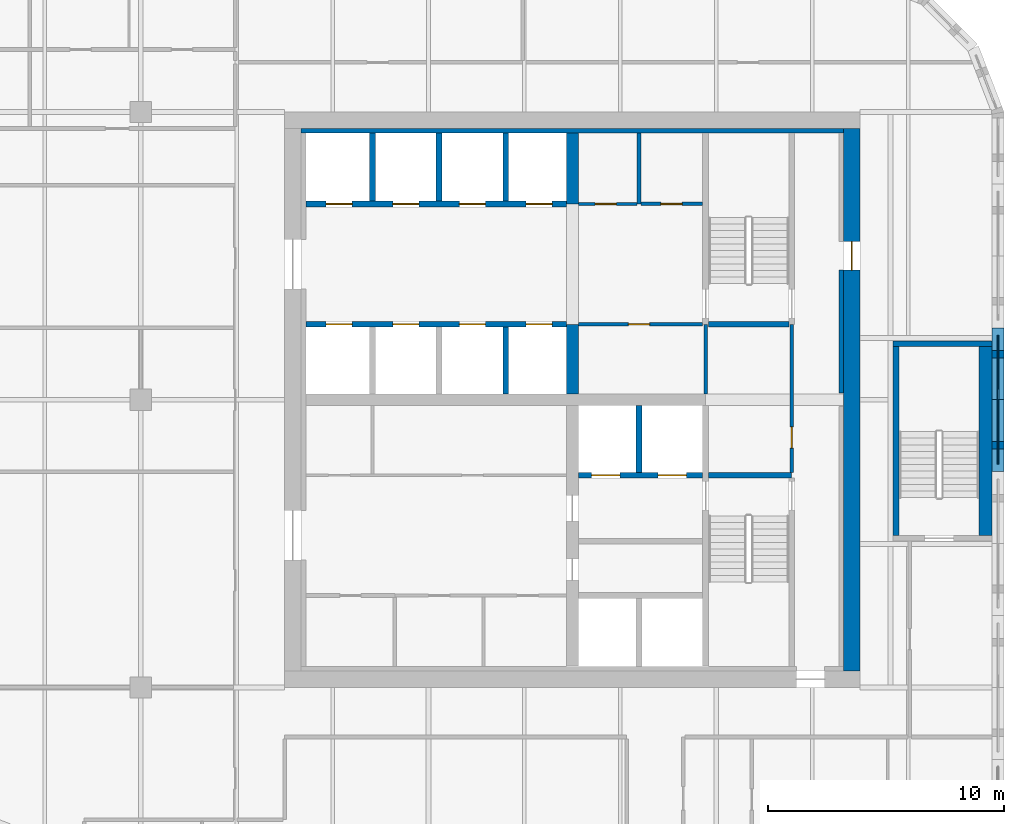
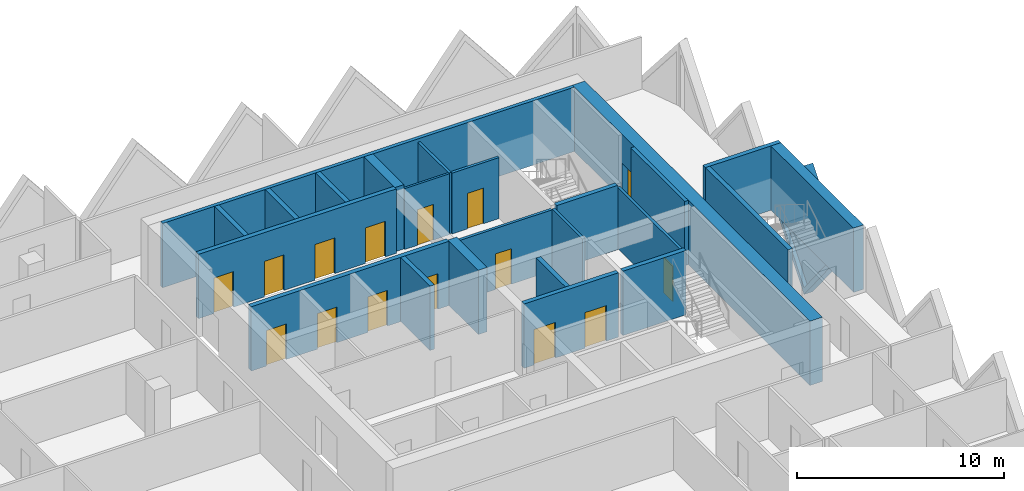
# One storey, part 9 of 12: 25 walls, 15 doors, 1 plate, 16 openings.
"""IFC4 building model written with IfcOpenShell, lengths in metres."""

from ifc_helpers import new_model, si_unit, direction, frame, frame_2d, origin, place, context, subcontext, project, spatial, polyline, rectangle, outline, extrude, faceted_brep, source, transform, mapped, material, layer, layer_set, type_object, element, fill, save


model = new_model("IFC4")

# Units and contexts
model_context = context("Model", 3, precision=1e-05, world=origin(), true_north=direction((0.0, 1.0)))
body_context = subcontext(model_context, "Body", "Model", "MODEL_VIEW")
ifc_project = project(units=[si_unit("LENGTHUNIT", "METRE"), si_unit("AREAUNIT", "SQUARE_METRE"), si_unit("VOLUMEUNIT", "CUBIC_METRE"), si_unit("PLANEANGLEUNIT", "RADIAN"), si_unit("MASSUNIT", "GRAM", prefix="KILO")], contexts=[model_context])

# Site, building, storey
site_placement = place(None, origin())
site = spatial("IfcSite", under=ifc_project, at=site_placement, CompositionType="ELEMENT")
building_placement = place(site_placement, origin())
building = spatial("IfcBuilding", under=site, at=building_placement, Name="Tessera Gate Towers", CompositionType="ELEMENT")
storey_placement = place(building_placement, frame((0.0, 0.0, 139.199951171875)))
storey = spatial("IfcBuildingStorey", under=building, at=storey_placement, Name="L34", CompositionType="ELEMENT", Elevation=139.199951171875)

# Wall, openings, doors
ifc_material_1 = material(Name="Concrete C40/50", Category="concrete")
ifc_layer_1 = layer(ifc_material_1, 0.25)
ifc_layer_set_1 = layer_set([ifc_layer_1], Name="CORE ENCLOSURE WALL 250")
wall_type_1 = type_object("IfcWallType", Name="CORE ENCLOSURE WALL 250", PredefinedType="SOLIDWALL", material=ifc_layer_set_1)
wall_1_placement = place(storey_placement, frame((31.39990234375, 39.800048828125, 0.0), z_axis=(0.0, 0.0, 1.0), x_axis=(1.0, 0.0, 0.0)))
wall_1 = element("IfcWall", 1, at=wall_1_placement, inside=storey, type_object=wall_type_1, Name="L34 shaft and stair enclosure wall", PredefinedType="SOLIDWALL", context=body_context, shape_type="SweptSolid", body=[
    extrude(rectangle(XDim=11.050048828125, YDim=0.25, at=frame_2d((5.52490234375, 0.0))), origin(), (0.0, 0.0, 1.0), 3.800048828125),
])
shared_shape_1 = source(origin(), body_context, "Body", "SweptSolid", [
    extrude(rectangle(XDim=1.10009765625, YDim=2.10009765625, at=frame_2d((0.550048828125, 1.050048828125))), frame((0.0, 0.135009765625, 0.0), z_axis=(0.0, -1.0, 0.0), x_axis=(1.0, 0.0, 0.0)), (0.0, 0.0, 1.0), 0.27001953125),
])
opening_1_placement = place(wall_1_placement, frame((0.862548828125, 0.0, 0.0)))
opening_1 = element("IfcOpeningElement", 2, at=opening_1_placement, cuts=wall_1, Name="Opening LD-HR1", PredefinedType="OPENING", context=body_context, shape_type="MappedRepresentation", body=[
    mapped(shared_shape_1, transform((0.0, 0.0, 0.0), scale=1.0)),
])
opening_2_placement = place(wall_1_placement, frame((3.6875, 0.0, 0.0)))
opening_2 = element("IfcOpeningElement", 3, at=opening_2_placement, cuts=wall_1, Name="Opening LD-HR2", PredefinedType="OPENING", context=body_context, shape_type="MappedRepresentation", body=[
    mapped(shared_shape_1, transform((0.0, 0.0, 0.0), scale=1.0)),
])
opening_3_placement = place(wall_1_placement, frame((6.512451171875, 0.0, 0.0)))
opening_3 = element("IfcOpeningElement", 4, at=opening_3_placement, cuts=wall_1, Name="Opening LD-HR3", PredefinedType="OPENING", context=body_context, shape_type="MappedRepresentation", body=[
    mapped(shared_shape_1, transform((0.0, 0.0, 0.0), scale=1.0)),
])
opening_4_placement = place(wall_1_placement, frame((9.33740234375, 0.0, 0.0)))
opening_4 = element("IfcOpeningElement", 5, at=opening_4_placement, cuts=wall_1, Name="Opening LD-HR4", PredefinedType="OPENING", context=body_context, shape_type="MappedRepresentation", body=[
    mapped(shared_shape_1, transform((0.0, 0.0, 0.0), scale=1.0)),
])
ifc_material_2 = material(Name="Stainless steel", Category="steel")
door_type_1 = type_object("IfcDoorType", Name="CORE DOOR LD 1100x2100", OperationType="DOUBLE_DOOR_SLIDING", PredefinedType="DOOR", material=ifc_material_2)
shared_shape_2 = source(origin(), body_context, "Body", "SweptSolid", [
    extrude(rectangle(XDim=1.10009765625, YDim=2.10009765625, at=frame_2d((0.550048828125, 1.050048828125))), frame((0.0, 0.02490234375, 0.0), z_axis=(0.0, -1.0, 0.0), x_axis=(1.0, 0.0, 0.0)), (0.0, 0.0, 1.0), 0.050048828125),
])
door_1_placement = place(opening_1_placement, origin())
door_1 = element("IfcDoor", 6, at=door_1_placement, inside=storey, type_object=door_type_1, Name="Landing door HR1 L34", OperationType="DOUBLE_DOOR_SLIDING", OverallHeight=2.10009765625, OverallWidth=1.10009765625, PredefinedType="DOOR", context=body_context, shape_type="MappedRepresentation", body=[
    mapped(shared_shape_2, transform((0.0, 0.0, 0.0), scale=1.0)),
])
fill(opening_1, door_1)
door_2_placement = place(opening_2_placement, origin())
door_2 = element("IfcDoor", 7, at=door_2_placement, inside=storey, type_object=door_type_1, Name="Landing door HR2 L34", OperationType="DOUBLE_DOOR_SLIDING", OverallHeight=2.10009765625, OverallWidth=1.10009765625, PredefinedType="DOOR", context=body_context, shape_type="MappedRepresentation", body=[
    mapped(shared_shape_2, transform((0.0, 0.0, 0.0), scale=1.0)),
])
fill(opening_2, door_2)
door_3_placement = place(opening_3_placement, origin())
door_3 = element("IfcDoor", 8, at=door_3_placement, inside=storey, type_object=door_type_1, Name="Landing door HR3 L34", OperationType="DOUBLE_DOOR_SLIDING", OverallHeight=2.10009765625, OverallWidth=1.10009765625, PredefinedType="DOOR", context=body_context, shape_type="MappedRepresentation", body=[
    mapped(shared_shape_2, transform((0.0, 0.0, 0.0), scale=1.0)),
])
fill(opening_3, door_3)
door_4_placement = place(opening_4_placement, origin())
door_4 = element("IfcDoor", 9, at=door_4_placement, inside=storey, type_object=door_type_1, Name="Landing door HR4 L34", OperationType="DOUBLE_DOOR_SLIDING", OverallHeight=2.10009765625, OverallWidth=1.10009765625, PredefinedType="DOOR", context=body_context, shape_type="MappedRepresentation", body=[
    mapped(shared_shape_2, transform((0.0, 0.0, 0.0), scale=1.0)),
])
fill(opening_4, door_4)

wall_2_placement = place(storey_placement, frame((42.449951171875, 44.89990234375, 0.0), z_axis=(0.0, 0.0, 1.0), x_axis=(-1.0, 0.0, 0.0)))
wall_2 = element("IfcWall", 10, at=wall_2_placement, inside=storey, type_object=wall_type_1, Name="L34 shaft and stair enclosure wall", PredefinedType="SOLIDWALL", context=body_context, shape_type="SweptSolid", body=[
    extrude(rectangle(XDim=11.050048828125, YDim=0.25, at=frame_2d((5.52490234375, 0.0))), origin(), (0.0, 0.0, 1.0), 3.800048828125),
])
opening_5_placement = place(wall_2_placement, frame((9.08740234375, 0.0, 0.0)))
opening_5 = element("IfcOpeningElement", 11, at=opening_5_placement, cuts=wall_2, Name="Opening LD-HR5", PredefinedType="OPENING", context=body_context, shape_type="MappedRepresentation", body=[
    mapped(shared_shape_1, transform((0.0, 0.0, 0.0), scale=1.0)),
])
opening_6_placement = place(wall_2_placement, frame((6.262451171875, 0.0, 0.0)))
opening_6 = element("IfcOpeningElement", 12, at=opening_6_placement, cuts=wall_2, Name="Opening LD-HR6", PredefinedType="OPENING", context=body_context, shape_type="MappedRepresentation", body=[
    mapped(shared_shape_1, transform((0.0, 0.0, 0.0), scale=1.0)),
])
opening_7_placement = place(wall_2_placement, frame((3.4375, 0.0, 0.0)))
opening_7 = element("IfcOpeningElement", 13, at=opening_7_placement, cuts=wall_2, Name="Opening LD-HR7", PredefinedType="OPENING", context=body_context, shape_type="MappedRepresentation", body=[
    mapped(shared_shape_1, transform((0.0, 0.0, 0.0), scale=1.0)),
])
opening_8_placement = place(wall_2_placement, frame((0.612548828125, 0.0, 0.0)))
opening_8 = element("IfcOpeningElement", 14, at=opening_8_placement, cuts=wall_2, Name="Opening LD-HR8", PredefinedType="OPENING", context=body_context, shape_type="MappedRepresentation", body=[
    mapped(shared_shape_1, transform((0.0, 0.0, 0.0), scale=1.0)),
])
door_5_placement = place(opening_5_placement, origin())
door_5 = element("IfcDoor", 15, at=door_5_placement, inside=storey, type_object=door_type_1, Name="Landing door HR5 L34", OperationType="DOUBLE_DOOR_SLIDING", OverallHeight=2.10009765625, OverallWidth=1.10009765625, PredefinedType="DOOR", context=body_context, shape_type="MappedRepresentation", body=[
    mapped(shared_shape_2, transform((0.0, 0.0, 0.0), scale=1.0)),
])
fill(opening_5, door_5)
door_6_placement = place(opening_6_placement, origin())
door_6 = element("IfcDoor", 16, at=door_6_placement, inside=storey, type_object=door_type_1, Name="Landing door HR6 L34", OperationType="DOUBLE_DOOR_SLIDING", OverallHeight=2.10009765625, OverallWidth=1.10009765625, PredefinedType="DOOR", context=body_context, shape_type="MappedRepresentation", body=[
    mapped(shared_shape_2, transform((0.0, 0.0, 0.0), scale=1.0)),
])
fill(opening_6, door_6)
door_7_placement = place(opening_7_placement, origin())
door_7 = element("IfcDoor", 17, at=door_7_placement, inside=storey, type_object=door_type_1, Name="Landing door HR7 L34", OperationType="DOUBLE_DOOR_SLIDING", OverallHeight=2.10009765625, OverallWidth=1.10009765625, PredefinedType="DOOR", context=body_context, shape_type="MappedRepresentation", body=[
    mapped(shared_shape_2, transform((0.0, 0.0, 0.0), scale=1.0)),
])
fill(opening_7, door_7)
door_8_placement = place(opening_8_placement, origin())
door_8 = element("IfcDoor", 18, at=door_8_placement, inside=storey, type_object=door_type_1, Name="Landing door HR8 L34", OperationType="DOUBLE_DOOR_SLIDING", OverallHeight=2.10009765625, OverallWidth=1.10009765625, PredefinedType="DOOR", context=body_context, shape_type="MappedRepresentation", body=[
    mapped(shared_shape_2, transform((0.0, 0.0, 0.0), scale=1.0)),
])
fill(opening_8, door_8)

wall_3_placement = place(storey_placement, frame((48.22509765625, 33.39990234375, 0.0), z_axis=(0.0, 0.0, 1.0), x_axis=(-1.0, 0.0, 0.0)))
wall_3 = element("IfcWall", 19, at=wall_3_placement, inside=storey, type_object=wall_type_1, Name="L34 shaft and stair enclosure wall", PredefinedType="SOLIDWALL", context=body_context, shape_type="SweptSolid", body=[
    extrude(rectangle(XDim=5.275146484375, YDim=0.25, at=frame_2d((2.6376953125, 0.0))), origin(), (0.0, 0.0, 1.0), 3.800048828125),
])
shared_shape_3 = source(origin(), body_context, "Body", "SweptSolid", [
    extrude(rectangle(XDim=1.199951171875, YDim=2.10009765625, at=frame_2d((0.60009765625, 1.050048828125))), frame((0.0, 0.135009765625, 0.0), z_axis=(0.0, -1.0, 0.0), x_axis=(1.0, 0.0, 0.0)), (0.0, 0.0, 1.0), 0.27001953125),
])
opening_9_placement = place(wall_3_placement, frame((3.512451171875, 0.0, 0.0)))
opening_9 = element("IfcOpeningElement", 20, at=opening_9_placement, cuts=wall_3, Name="Opening LD-FF1", PredefinedType="OPENING", context=body_context, shape_type="MappedRepresentation", body=[
    mapped(shared_shape_3, transform((0.0, 0.0, 0.0), scale=1.0)),
])
opening_10_placement = place(wall_3_placement, frame((0.6875, 0.0, 0.0)))
opening_10 = element("IfcOpeningElement", 21, at=opening_10_placement, cuts=wall_3, Name="Opening LD-FF2", PredefinedType="OPENING", context=body_context, shape_type="MappedRepresentation", body=[
    mapped(shared_shape_3, transform((0.0, 0.0, 0.0), scale=1.0)),
])
ifc_material_3 = material(Name="Stainless steel", Category="steel")
door_type_2 = type_object("IfcDoorType", Name="CORE DOOR LD1200 1200x2100", OperationType="DOUBLE_DOOR_SLIDING", PredefinedType="DOOR", material=ifc_material_3)
shared_shape_4 = source(origin(), body_context, "Body", "SweptSolid", [
    extrude(rectangle(XDim=1.199951171875, YDim=2.10009765625, at=frame_2d((0.60009765625, 1.050048828125))), frame((0.0, 0.02490234375, 0.0), z_axis=(0.0, -1.0, 0.0), x_axis=(1.0, 0.0, 0.0)), (0.0, 0.0, 1.0), 0.050048828125),
])
door_9_placement = place(opening_9_placement, origin())
door_9 = element("IfcDoor", 22, at=door_9_placement, inside=storey, type_object=door_type_2, Name="Landing door FF1 L34", OperationType="DOUBLE_DOOR_SLIDING", OverallHeight=2.10009765625, OverallWidth=1.199951171875, PredefinedType="DOOR", context=body_context, shape_type="MappedRepresentation", body=[
    mapped(shared_shape_4, transform((0.0, 0.0, 0.0), scale=1.0)),
])
fill(opening_9, door_9)
door_10_placement = place(opening_10_placement, origin())
door_10 = element("IfcDoor", 23, at=door_10_placement, inside=storey, type_object=door_type_2, Name="Landing door FF2 L34", OperationType="DOUBLE_DOOR_SLIDING", OverallHeight=2.10009765625, OverallWidth=1.199951171875, PredefinedType="DOOR", context=body_context, shape_type="MappedRepresentation", body=[
    mapped(shared_shape_4, transform((0.0, 0.0, 0.0), scale=1.0)),
])
fill(opening_10, door_10)

# Walls
wall_4_placement = place(storey_placement, frame((48.47509765625, 33.39990234375, 0.0), z_axis=(0.0, 0.0, 1.0), x_axis=(1.0, 0.0, 0.0)))
element("IfcWall", 24, at=wall_4_placement, inside=storey, type_object=wall_type_1, Name="L34 shaft and stair enclosure wall", PredefinedType="SOLIDWALL", context=body_context, shape_type="SweptSolid", body=[
    extrude(rectangle(XDim=3.52490234375, YDim=0.25, at=frame_2d((1.762451171875, 0.0))), origin(), (0.0, 0.0, 1.0), 3.800048828125),
])
wall_5_placement = place(storey_placement, frame((48.47509765625, 39.800048828125, 0.0), z_axis=(0.0, 0.0, 1.0), x_axis=(1.0, 0.0, 0.0)))
element("IfcWall", 25, at=wall_5_placement, inside=storey, type_object=wall_type_1, Name="L34 shaft and stair enclosure wall", PredefinedType="SOLIDWALL", context=body_context, shape_type="SweptSolid", body=[
    extrude(rectangle(XDim=3.39990234375, YDim=0.25, at=frame_2d((1.699951171875, 0.0))), origin(), (0.0, 0.0, 1.0), 3.800048828125),
])
wall_6_placement = place(storey_placement, frame((39.875, 36.85009765625, 0.0), z_axis=(0.0, 0.0, 1.0), x_axis=(0.0, 1.0, 0.0)))
element("IfcWall", 26, at=wall_6_placement, inside=storey, type_object=wall_type_1, Name="L34 shaft and stair enclosure wall", PredefinedType="SOLIDWALL", context=body_context, shape_type="SweptSolid", body=[
    extrude(rectangle(XDim=2.824951171875, YDim=0.25, at=frame_2d((1.41259765625, 0.0))), origin(), (0.0, 0.0, 1.0), 3.800048828125),
])
wall_7_placement = place(storey_placement, frame((45.52490234375, 33.52490234375, 0.0), z_axis=(0.0, 0.0, 1.0), x_axis=(0.0, 1.0, 0.0)))
element("IfcWall", 27, at=wall_7_placement, inside=storey, type_object=wall_type_1, Name="L34 shaft and stair enclosure wall", PredefinedType="SOLIDWALL", context=body_context, shape_type="SweptSolid", body=[
    extrude(rectangle(XDim=2.8251953125, YDim=0.25, at=frame_2d((1.41259765625, 0.0))), origin(), (0.0, 0.0, 1.0), 3.800048828125),
])
for number, where, z_axis, x_axis, name in (
    (28, (34.22509765625, 45.02490234375, 0.0), (0.0, 0.0, 1.0), (0.0, 1.0, 0.0), "L34 shaft and stair enclosure wall"),
    (29, (37.050048828125, 45.02490234375, 0.0), (0.0, 0.0, 1.0), (0.0, 1.0, 0.0), "L34 shaft and stair enclosure wall"),
    (30, (39.875, 45.02490234375, 0.0), (0.0, 0.0, 1.0), (0.0, 1.0, 0.0), "L34 shaft and stair enclosure wall"),
):
    element("IfcWall", number, at=place(storey_placement, frame(where, z_axis=z_axis, x_axis=x_axis)), inside=storey, type_object=wall_type_1, Name=name, PredefinedType="SOLIDWALL", context=body_context, shape_type="SweptSolid", body=[
        extrude(rectangle(XDim=2.875, YDim=0.25, at=frame_2d((1.4375, 0.0))), origin(), (0.0, 0.0, 1.0), 3.800048828125),
    ])
wall_8_placement = place(storey_placement, frame((56.425048828125, 30.85009765625, 0.0), z_axis=(0.0, 0.0, 1.0), x_axis=(0.0, 1.0, 0.0)))
element("IfcWall", 31, at=wall_8_placement, inside=storey, type_object=wall_type_1, Name="L34 ST5 enclosure wall", PredefinedType="SOLIDWALL", context=body_context, shape_type="SweptSolid", body=[
    extrude(rectangle(XDim=8.0, YDim=0.25, at=frame_2d((4.0, 0.0))), origin(), (0.0, 0.0, 1.0), 3.800048828125),
])
wall_9_placement = place(storey_placement, frame((56.300048828125, 38.97509765625, 0.0), z_axis=(0.0, 0.0, 1.0), x_axis=(1.0, 0.0, 0.0)))
element("IfcWall", 32, at=wall_9_placement, inside=storey, type_object=wall_type_1, Name="L34 ST5 enclosure wall", PredefinedType="SOLIDWALL", context=body_context, shape_type="SweptSolid", body=[
    extrude(rectangle(XDim=4.199951171875, YDim=0.25, at=frame_2d((2.10009765625, 0.0))), origin(), (0.0, 0.0, 1.0), 3.800048828125),
])
ifc_material_4 = material(Name="Concrete C40/50", Category="concrete")
ifc_layer_2 = layer(ifc_material_4, 0.550048828125)
ifc_layer_set_2 = layer_set([ifc_layer_2], Name="CORE ENCLOSURE WALL 550")
wall_type_2 = type_object("IfcWallType", Name="CORE ENCLOSURE WALL 550", PredefinedType="SOLIDWALL", material=ifc_layer_set_2)
wall_10_placement = place(storey_placement, frame((60.22509765625, 38.85009765625, 0.0), z_axis=(0.0, 0.0, 1.0), x_axis=(0.0, -1.0, 0.0)))
element("IfcWall", 33, at=wall_10_placement, inside=storey, type_object=wall_type_2, Name="L34 ST5 enclosure wall", PredefinedType="SOLIDWALL", context=body_context, shape_type="SweptSolid", body=[
    extrude(rectangle(XDim=8.0, YDim=0.550048828125, at=frame_2d((4.0, 0.0))), origin(), (0.0, 0.0, 1.0), 3.800048828125),
])

# Wall, opening, door
ifc_material_5 = material(Name="Gypsum board on steel studs", Category="steel")
ifc_layer_3 = layer(ifc_material_5, 0.1201171875)
ifc_layer_set_3 = layer_set([ifc_layer_3], Name="CORE PARTITION 120")
wall_type_3 = type_object("IfcWallType", Name="CORE PARTITION 120", PredefinedType="PARTITIONING", material=ifc_layer_set_3)
wall_11_placement = place(storey_placement, frame((42.949951171875, 44.89990234375, 0.0), z_axis=(0.0, 0.0, 1.0), x_axis=(1.0, 0.0, 0.0)))
wall_11 = element("IfcWall", 34, at=wall_11_placement, inside=storey, type_object=wall_type_3, Name="L34 core partition", PredefinedType="PARTITIONING", context=body_context, shape_type="SweptSolid", body=[
    extrude(rectangle(XDim=2.5, YDim=0.1201171875, at=frame_2d((1.25, 0.0))), origin(), (0.0, 0.0, 1.0), 3.60009765625),
])
shared_shape_5 = source(origin(), body_context, "Body", "SweptSolid", [
    extrude(rectangle(XDim=0.89990234375, YDim=2.10009765625, at=frame_2d((0.449951171875, 1.050048828125))), frame((0.0, 0.070068359375, 0.0), z_axis=(0.0, -1.0, 0.0), x_axis=(1.0, 0.0, 0.0)), (0.0, 0.0, 1.0), 0.14013671875),
])
opening_11_placement = place(wall_11_placement, frame((0.71240234375, 0.0, 0.0)))
opening_11 = element("IfcOpeningElement", 35, at=opening_11_placement, cuts=wall_11, Name="Opening RD-T1-23-14", PredefinedType="OPENING", context=body_context, shape_type="MappedRepresentation", body=[
    mapped(shared_shape_5, transform((0.0, 0.0, 0.0), scale=1.0)),
])
ifc_material_6 = material(Name="Hollow steel fire door", Category="steel")
door_type_3 = type_object("IfcDoorType", Name="CORE DOOR RD 900x2100", OperationType="NOTDEFINED", PredefinedType="DOOR", material=ifc_material_6)
shared_shape_6 = source(origin(), body_context, "Body", "SweptSolid", [
    extrude(rectangle(XDim=0.89990234375, YDim=2.10009765625, at=frame_2d((0.449951171875, 1.050048828125))), frame((0.0, 0.02490234375, 0.0), z_axis=(0.0, -1.0, 0.0), x_axis=(1.0, 0.0, 0.0)), (0.0, 0.0, 1.0), 0.050048828125),
])
door_11_placement = place(opening_11_placement, origin())
door_11 = element("IfcDoor", 36, at=door_11_placement, inside=storey, type_object=door_type_3, Name="Core room door", OperationType="SINGLE_SWING_LEFT", OverallHeight=2.10009765625, OverallWidth=0.89990234375, PredefinedType="DOOR", context=body_context, shape_type="MappedRepresentation", body=[
    mapped(shared_shape_6, transform((0.0, 0.0, 0.0), scale=1.0)),
])
fill(opening_11, door_11)

ifc_material_7 = material(Name="Concrete C60/75", Category="concrete")
ifc_layer_4 = layer(ifc_material_7, 0.699951171875)
ifc_layer_set_4 = layer_set([ifc_layer_4], Name="CORE SHEAR WALL 700 C60/75")
wall_type_4 = type_object("IfcWallType", Name="CORE SHEAR WALL 700 C60/75", PredefinedType="SHEAR", material=ifc_layer_set_4)
wall_12_placement = place(storey_placement, frame((54.550048828125, 48.10009765625, 0.0), z_axis=(0.0, 0.0, 1.0), x_axis=(0.0, -1.0, 0.0)))
wall_12 = element("IfcWall", 37, at=wall_12_placement, inside=storey, type_object=wall_type_4, Name="Core wall E L34", PredefinedType="SHEAR", context=body_context, shape_type="SweptSolid", body=[
    extrude(rectangle(XDim=23.0, YDim=0.699951171875, at=frame_2d((11.5, 0.0))), origin(), (0.0, 0.0, 1.0), 3.800048828125),
])
shared_shape_7 = source(origin(), body_context, "Body", "SweptSolid", [
    extrude(rectangle(XDim=1.199951171875, YDim=2.10009765625, at=frame_2d((0.60009765625, 1.050048828125))), frame((0.0, 0.35986328125, 0.0), z_axis=(0.0, -1.0, 0.0), x_axis=(1.0, 0.0, 0.0)), (0.0, 0.0, 1.0), 0.719970703125),
])
opening_12_placement = place(wall_12_placement, frame((4.800048828125, 0.0, 0.0)))
opening_12 = element("IfcOpeningElement", 38, at=opening_12_placement, cuts=wall_12, Name="Opening ED-T1-23-04", PredefinedType="OPENING", context=body_context, shape_type="MappedRepresentation", body=[
    mapped(shared_shape_7, transform((0.0, 0.0, 0.0), scale=1.0)),
])
ifc_material_8 = material(Name="Hollow steel fire door", Category="steel")
door_type_4 = type_object("IfcDoorType", Name="CORE DOOR ED 1200x2100", OperationType="NOTDEFINED", PredefinedType="DOOR", material=ifc_material_8)
door_12_placement = place(opening_12_placement, origin())
door_12 = element("IfcDoor", 39, at=door_12_placement, inside=storey, type_object=door_type_4, Name="Core exit door", OperationType="SINGLE_SWING_LEFT", OverallHeight=2.10009765625, OverallWidth=1.199951171875, PredefinedType="DOOR", context=body_context, shape_type="MappedRepresentation", body=[
    mapped(shared_shape_4, transform((0.0, 0.0, 0.0), scale=1.0)),
])
fill(opening_12, door_12)

# Walls
ifc_material_9 = material(Name="Concrete C60/75", Category="concrete")
ifc_layer_5 = layer(ifc_material_9, 0.5)
ifc_layer_set_5 = layer_set([ifc_layer_5], Name="CORE SPINE WALL 500 C60/75")
wall_type_5 = type_object("IfcWallType", Name="CORE SPINE WALL 500 C60/75", PredefinedType="SHEAR", material=ifc_layer_set_5)
wall_13_placement = place(storey_placement, frame((42.699951171875, 36.85009765625, 0.0), z_axis=(0.0, 0.0, 1.0), x_axis=(0.0, 1.0, 0.0)))
element("IfcWall", 40, at=wall_13_placement, inside=storey, type_object=wall_type_5, Name="Core wall spine L34", PredefinedType="SHEAR", context=body_context, shape_type="SweptSolid", body=[
    extrude(rectangle(XDim=2.949951171875, YDim=0.5, at=frame_2d((1.47509765625, 0.0))), origin(), (0.0, 0.0, 1.0), 3.800048828125),
])
wall_14_placement = place(storey_placement, frame((42.699951171875, 44.89990234375, 0.0), z_axis=(0.0, 0.0, 1.0), x_axis=(0.0, 1.0, 0.0)))
element("IfcWall", 41, at=wall_14_placement, inside=storey, type_object=wall_type_5, Name="Core wall spine L34", PredefinedType="SHEAR", context=body_context, shape_type="SweptSolid", body=[
    extrude(rectangle(XDim=3.0, YDim=0.5, at=frame_2d((1.5, 0.0))), origin(), (0.0, 0.0, 1.0), 3.800048828125),
])
ifc_material_10 = material(Name="Concrete C60/75", Category="concrete")
ifc_layer_6 = layer(ifc_material_10, 0.199951171875)
ifc_layer_set_6 = layer_set([ifc_layer_6], Name="CORE WALL THICKENING 200")
wall_type_6 = type_object("IfcWallType", Name="CORE WALL THICKENING 200", PredefinedType="SOLIDWALL", material=ifc_layer_set_6)
wall_15_placement = place(storey_placement, frame((31.199951171875, 48.0, 0.0), z_axis=(0.0, 0.0, 1.0), x_axis=(1.0, 0.0, 0.0)))
element("IfcWall", 42, at=wall_15_placement, inside=storey, type_object=wall_type_6, Name="Core wall thickening N L34", PredefinedType="SOLIDWALL", context=body_context, shape_type="SweptSolid", body=[
    extrude(rectangle(XDim=23.0, YDim=0.199951171875, at=frame_2d((11.5, 0.0))), origin(), (0.0, 0.0, 1.0), 3.800048828125),
])
wall_16_placement = place(storey_placement, frame((54.10009765625, 36.8798828125, 0.0), z_axis=(0.0, 0.0, 1.0), x_axis=(0.0, 1.0, 0.0)))
element("IfcWall", 43, at=wall_16_placement, inside=storey, type_object=wall_type_6, Name="Core wall thickening E L34", PredefinedType="SOLIDWALL", context=body_context, shape_type="SweptSolid", body=[
    extrude(rectangle(XDim=5.22021484375, YDim=0.199951171875, at=frame_2d((2.610107421875, 0.0))), origin(), (0.0, 0.0, 1.0), 3.800048828125),
])

# Wall, opening, door
ifc_material_11 = material(Name="Gypsum board on steel studs", Category="steel")
ifc_layer_7 = layer(ifc_material_11, 0.14990234375)
ifc_layer_set_7 = layer_set([ifc_layer_7], Name="SERVICE ROOM WALL 150")
wall_type_7 = type_object("IfcWallType", Name="SERVICE ROOM WALL 150", PredefinedType="PARTITIONING", material=ifc_layer_set_7)
wall_17_placement = place(storey_placement, frame((52.0, 33.52490234375, 0.0), z_axis=(0.0, 0.0, 1.0), x_axis=(0.0, 1.0, 0.0)))
wall_17 = element("IfcWall", 44, at=wall_17_placement, inside=storey, type_object=wall_type_7, Name="L34 service room wall", PredefinedType="PARTITIONING", context=body_context, shape_type="SweptSolid", body=[
    extrude(rectangle(XDim=6.275146484375, YDim=0.14990234375, at=frame_2d((3.1376953125, 0.0))), origin(), (0.0, 0.0, 1.0), 3.60009765625),
])
shared_shape_8 = source(origin(), body_context, "Body", "SweptSolid", [
    extrude(rectangle(XDim=0.89990234375, YDim=2.10009765625, at=frame_2d((0.449951171875, 1.050048828125))), frame((0.0, 0.0849609375, 0.0), z_axis=(0.0, -1.0, 0.0), x_axis=(1.0, 0.0, 0.0)), (0.0, 0.0, 1.0), 0.169921875),
])
opening_13_placement = place(wall_17_placement, frame((1.02490234375, 0.0, 0.0)))
opening_13 = element("IfcOpeningElement", 45, at=opening_13_placement, cuts=wall_17, Name="Opening RD-T1-23-11", PredefinedType="OPENING", context=body_context, shape_type="MappedRepresentation", body=[
    mapped(shared_shape_8, transform((0.0, 0.0, 0.0), scale=1.0)),
])
door_13_placement = place(opening_13_placement, origin())
door_13 = element("IfcDoor", 46, at=door_13_placement, inside=storey, type_object=door_type_3, Name="Core room door", OperationType="SINGLE_SWING_LEFT", OverallHeight=2.10009765625, OverallWidth=0.89990234375, PredefinedType="DOOR", context=body_context, shape_type="MappedRepresentation", body=[
    mapped(shared_shape_6, transform((0.0, 0.0, 0.0), scale=1.0)),
])
fill(opening_13, door_13)

wall_18_placement = place(storey_placement, frame((48.22509765625, 39.800048828125, 0.0), z_axis=(0.0, 0.0, 1.0), x_axis=(-1.0, 0.0, 0.0)))
wall_18 = element("IfcWall", 47, at=wall_18_placement, inside=storey, type_object=wall_type_7, Name="L34 service room wall", PredefinedType="PARTITIONING", context=body_context, shape_type="SweptSolid", body=[
    extrude(rectangle(XDim=5.275146484375, YDim=0.14990234375, at=frame_2d((2.6376953125, 0.0))), origin(), (0.0, 0.0, 1.0), 3.60009765625),
])
opening_14_placement = place(wall_18_placement, frame((2.25, 0.0, 0.0)))
opening_14 = element("IfcOpeningElement", 48, at=opening_14_placement, cuts=wall_18, Name="Opening RD-T1-23-12", PredefinedType="OPENING", context=body_context, shape_type="MappedRepresentation", body=[
    mapped(shared_shape_8, transform((0.0, 0.0, 0.0), scale=1.0)),
])
door_14_placement = place(opening_14_placement, origin())
door_14 = element("IfcDoor", 49, at=door_14_placement, inside=storey, type_object=door_type_3, Name="Core room door", OperationType="SINGLE_SWING_RIGHT", OverallHeight=2.10009765625, OverallWidth=0.89990234375, PredefinedType="DOOR", context=body_context, shape_type="MappedRepresentation", body=[
    mapped(shared_shape_6, transform((0.0, 0.0, 0.0), scale=1.0)),
])
fill(opening_14, door_14)

# Walls
wall_19_placement = place(storey_placement, frame((48.35009765625, 36.85009765625, 0.0), z_axis=(0.0, 0.0, 1.0), x_axis=(0.0, 1.0, 0.0)))
element("IfcWall", 50, at=wall_19_placement, inside=storey, type_object=wall_type_7, Name="L34 service room wall", PredefinedType="PARTITIONING", context=body_context, shape_type="SweptSolid", body=[
    extrude(rectangle(XDim=2.949951171875, YDim=0.14990234375, at=frame_2d((1.47509765625, 0.0))), origin(), (0.0, 0.0, 1.0), 3.60009765625),
])
wall_20_placement = place(storey_placement, frame((45.52490234375, 44.89990234375, 0.0), z_axis=(0.0, 0.0, 1.0), x_axis=(0.0, 1.0, 0.0)))
element("IfcWall", 51, at=wall_20_placement, inside=storey, type_object=wall_type_7, Name="L34 service room wall", PredefinedType="PARTITIONING", context=body_context, shape_type="SweptSolid", body=[
    extrude(rectangle(XDim=3.0, YDim=0.14990234375, at=frame_2d((1.5, 0.0))), origin(), (0.0, 0.0, 1.0), 3.60009765625),
])

# Wall, opening, door
wall_21_placement = place(storey_placement, frame((45.60009765625, 44.89990234375, 0.0), z_axis=(0.0, 0.0, 1.0), x_axis=(1.0, 0.0, 0.0)))
wall_21 = element("IfcWall", 52, at=wall_21_placement, inside=storey, type_object=wall_type_7, Name="L34 service room wall", PredefinedType="PARTITIONING", context=body_context, shape_type="SweptSolid", body=[
    extrude(rectangle(XDim=2.625, YDim=0.14990234375, at=frame_2d((1.3125, 0.0))), origin(), (0.0, 0.0, 1.0), 3.60009765625),
])
opening_15_placement = place(wall_21_placement, frame((0.85009765625, 0.0, 0.0)))
opening_15 = element("IfcOpeningElement", 53, at=opening_15_placement, cuts=wall_21, Name="Opening RD-T1-23-15", PredefinedType="OPENING", context=body_context, shape_type="MappedRepresentation", body=[
    mapped(shared_shape_8, transform((0.0, 0.0, 0.0), scale=1.0)),
])
door_15_placement = place(opening_15_placement, origin())
door_15 = element("IfcDoor", 54, at=door_15_placement, inside=storey, type_object=door_type_3, Name="Core room door", OperationType="SINGLE_SWING_LEFT", OverallHeight=2.10009765625, OverallWidth=0.89990234375, PredefinedType="DOOR", context=body_context, shape_type="MappedRepresentation", body=[
    mapped(shared_shape_6, transform((0.0, 0.0, 0.0), scale=1.0)),
])
fill(opening_15, door_15)

# Wall, opening, plate
ifc_material_12 = material(Name="Precast concrete C60/75 white", Category="concrete")
ifc_layer_8 = layer(ifc_material_12, 0.5)
ifc_layer_set_8 = layer_set([ifc_layer_8], Name="TS1 tessera")
wall_type_8 = type_object("IfcWallType", Name="TS1 tessera", PredefinedType="SOLIDWALL", material=ifc_layer_set_8)
shared_shape_9 = source(origin(), body_context, "Body", "Brep", [
    faceted_brep([(3.050048828125, -0.25, 0.0), (6.099853515625, -0.25, 3.7998046875), (6.099853515625, -0.25, 3.80029296875), (3.050048828125, -0.25, 7.60009765625), (0.0, -0.25, 3.800048828125), (0.0, 0.25, 3.800048828125), (3.050048828125, 0.25, 7.60009765625), (6.099853515625, 0.25, 3.80029296875), (6.099853515625, 0.25, 3.7998046875), (3.050048828125, 0.25, 0.0)], [[[0, 1, 2, 3, 4]], [[5, 6, 7, 8, 9]], [[9, 8, 1, 0]], [[7, 6, 3, 2]], [[6, 5, 4, 3]], [[5, 9, 0, 4]], [[1, 8, 7, 2]]]),
])
wall_22_placement = place(storey_placement, frame((60.75, 33.550048828125, -3.800048828125), z_axis=(0.0, 0.0, 1.0), x_axis=(0.0, 1.0, 0.0)))
wall_22 = element("IfcWall", 55, at=wall_22_placement, inside=storey, type_object=wall_type_8, Name="Precast tessera T1 TS1-0583", PredefinedType="SOLIDWALL", context=body_context, shape_type="MappedRepresentation", body=[
    mapped(shared_shape_9, transform((0.0, 0.0, 0.0), scale=1.0)),
])
shared_shape_10 = source(origin(), body_context, "Body", "SweptSolid", [
    extrude(outline(polyline([(3.050048828125, 0.3994140625), (5.779541015625, 3.800048828125), (3.050048828125, 7.20068359375), (0.320556640625, 3.800048828125), (3.050048828125, 0.3994140625)])), frame((0.0, 0.260009765625, 0.0), z_axis=(0.0, -1.0, 0.0), x_axis=(1.0, 0.0, 0.0)), (0.0, 0.0, 1.0), 0.52001953125),
])
opening_16_placement = place(wall_22_placement, origin())
opening_16 = element("IfcOpeningElement", 56, at=opening_16_placement, cuts=wall_22, Name="Opening T1-PL2-1187", PredefinedType="OPENING", context=body_context, shape_type="MappedRepresentation", body=[
    mapped(shared_shape_10, transform((0.0, 0.0, 0.0), scale=1.0)),
])
ifc_material_13 = material(Name="Low-e laminated glass", Category="glass")
ifc_layer_9 = layer(ifc_material_13, 0.06005859375)
ifc_layer_set_9 = layer_set([ifc_layer_9], Name="PL2 rhombic pane")
plate_type = type_object("IfcPlateType", Name="PL2 rhombic pane", PredefinedType="SHEET", material=ifc_layer_set_9)
shared_shape_11 = source(origin(), body_context, "Body", "SweptSolid", [
    extrude(outline(polyline([(3.050048828125, 0.3994140625), (5.779541015625, 3.800048828125), (3.050048828125, 7.20068359375), (0.320556640625, 3.800048828125), (3.050048828125, 0.3994140625)])), frame((0.0, 0.030029296875, 0.0), z_axis=(0.0, -1.0, 0.0), x_axis=(1.0, 0.0, 0.0)), (0.0, 0.0, 1.0), 0.06005859375),
])
plate_placement = place(opening_16_placement, origin())
plate = element("IfcPlate", 57, at=plate_placement, inside=storey, type_object=plate_type, Name="Glass pane T1 PL2-1187", PredefinedType="SHEET", context=body_context, shape_type="MappedRepresentation", body=[
    mapped(shared_shape_11, transform((0.0, 0.0, 0.0), scale=1.0)),
])
fill(opening_16, plate)

save(model, "model.ifc")
